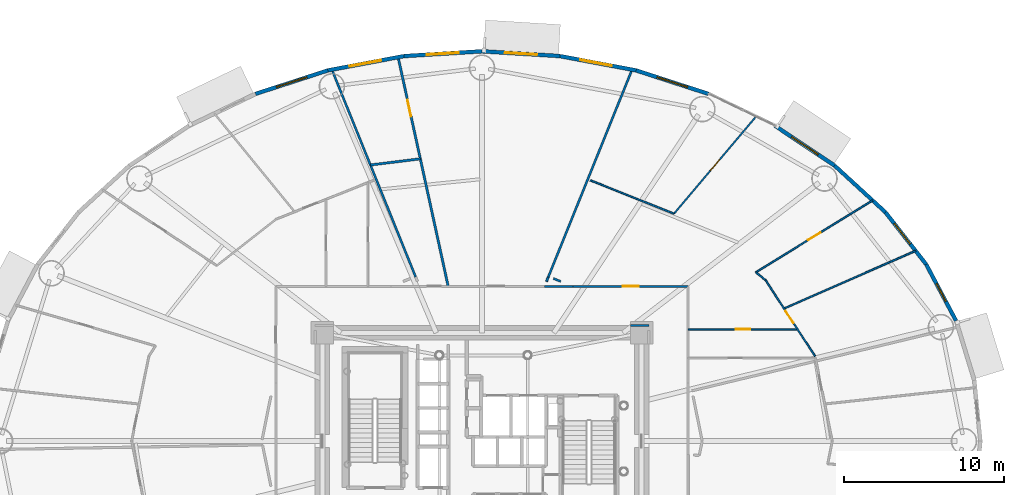
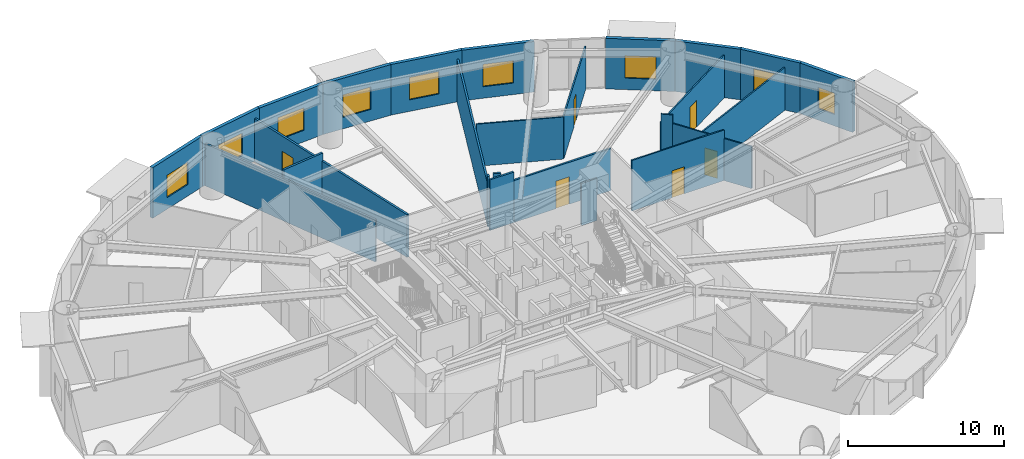
# One storey, part 13 of 21: 26 walls, 9 windows, 6 doors, 15 openings.
"""IFC4 building model written with IfcOpenShell, lengths in metres."""

import ifcopenshell
import ifcopenshell.guid

model = None  # the IFC model being written
_history = None  # IfcOwnerHistory: only IFC2X3 demands one
_inside = {}  # id of a spatial element -> (the spatial element, [elements in it])
_under = {}  # id of a project, library or spatial element -> (it, [spatial elements below it])
_declared = {}  # id of a project -> (the project, [libraries it declares])
_typed = {}  # id of a type object -> (the type object, [elements of that type])
_made_of = {}  # id of a material, layer set ... -> (it, [elements and type objects made of it])


def new_model(schema):
    """Start an empty IFC model of exactly this schema.

    Asked for "IFC4X3", IfcOpenShell would pick the latest addendum, in which some entities
    have other attributes; the version numbers below select the first issue.
    IFC2X3 requires an IfcOwnerHistory on every rooted entity: one is made here for all.
    """
    global model, _history
    if schema == "IFC4X3":
        model = ifcopenshell.file(schema_version=(4, 3, 0, 0))
    else:
        model = ifcopenshell.file(schema=schema)
    _inside.clear()
    _under.clear()
    _declared.clear()
    _typed.clear()
    _made_of.clear()
    _history = None
    if model.schema == "IFC2X3":
        org = make("IfcOrganization", Name="unknown")
        user = make(
            "IfcPersonAndOrganization",
            ThePerson=make("IfcPerson", FamilyName="unknown"),
            TheOrganization=org,
        )
        app = make(
            "IfcApplication",
            ApplicationDeveloper=org,
            Version="unknown",
            ApplicationFullName="unknown",
            ApplicationIdentifier="unknown",
        )
        _history = make(
            "IfcOwnerHistory",
            OwningUser=user,
            OwningApplication=app,
            ChangeAction="ADDED",
            CreationDate=0,
        )
    return model


def make(cls, **values):
    """One entity of the class cls with the attributes given. An attribute that is None is left unset."""
    return model.create_entity(
        cls, **{name: value for name, value in values.items() if value is not None}
    )


def rooted(cls, **values):
    """An entity with a GlobalId (a new one), such as an element, a storey or a relation."""
    return make(cls, GlobalId=ifcopenshell.guid.new(), OwnerHistory=_history, **values)


def si_unit(unit_type, name, prefix=None):
    """IfcSIUnit, for example si_unit("LENGTHUNIT", "METRE", prefix="MILLI")."""
    return make("IfcSIUnit", UnitType=unit_type, Prefix=prefix, Name=name)


def assignment(units):
    """IfcUnitAssignment: the units of a project."""
    return None if units is None else make("IfcUnitAssignment", Units=units)


def point(xyz):
    """IfcCartesianPoint."""
    return None if xyz is None else make("IfcCartesianPoint", Coordinates=xyz)


def direction(xyz):
    """IfcDirection."""
    return None if xyz is None else make("IfcDirection", DirectionRatios=xyz)


def frame(location, z_axis=None, x_axis=None):
    """IfcAxis2Placement3D, a coordinate frame: its origin and axes. An axis left out is left unset."""
    return make(
        "IfcAxis2Placement3D",
        Location=point(location),
        Axis=direction(z_axis),
        RefDirection=direction(x_axis),
    )


def frame_2d(location, x_axis=None):
    """IfcAxis2Placement2D, a coordinate frame in the plane: its origin and x axis."""
    return make(
        "IfcAxis2Placement2D", Location=point(location), RefDirection=direction(x_axis)
    )


def origin():
    """The frame at (0, 0, 0) with its axes left unset."""
    return frame((0.0, 0.0, 0.0))


def origin_2d():
    """The frame at (0, 0) in the plane with its x axis left unset."""
    return frame_2d((0.0, 0.0))


def place(relative_to, where):
    """IfcLocalPlacement: puts the frame where relative to a parent placement (None: the world)."""
    return make(
        "IfcLocalPlacement", PlacementRelTo=relative_to, RelativePlacement=where
    )


def context(
    kind, dimensions, precision=None, world=None, true_north=None, identifier=None
):
    """IfcGeometricRepresentationContext, for example the 3D "Model" context."""
    return make(
        "IfcGeometricRepresentationContext",
        ContextIdentifier=identifier,
        ContextType=kind,
        CoordinateSpaceDimension=dimensions,
        Precision=precision,
        WorldCoordinateSystem=world,
        TrueNorth=true_north,
    )


def subcontext(parent, identifier, kind, view, scale=None):
    """IfcGeometricRepresentationSubContext, for example "Body" below "Model"."""
    return make(
        "IfcGeometricRepresentationSubContext",
        ContextIdentifier=identifier,
        ContextType=kind,
        ParentContext=parent,
        TargetScale=scale,
        TargetView=view,
    )


def project(units=None, contexts=None):
    """IfcProject with its units and contexts."""
    return rooted(
        "IfcProject",
        Name="project",
        RepresentationContexts=contexts,
        UnitsInContext=assignment(units),
    )


def spatial(cls, under=None, at=None, **own):
    """A site, building, storey or space (cls), placed at a placement, below another one or the project."""
    s = rooted(cls, ObjectPlacement=at, **own)
    if under is not None:
        _under.setdefault(under.id(), (under, []))[1].append(s)
    return s


def profile(cls, at=None, kind="AREA", **sizes):
    """A parametric profile (cls). Its sizes go by their IFC names, for example OverallWidth=200.0."""
    return make(cls, ProfileType=kind, Position=at, **sizes)


def rectangle(**sizes):
    """IfcRectangleProfileDef."""
    return profile("IfcRectangleProfileDef", **sizes)


def extrude(swept, where, along, depth):
    """IfcExtrudedAreaSolid: the profile swept, set in the frame where, extruded along a direction by depth."""
    return make(
        "IfcExtrudedAreaSolid",
        SweptArea=swept,
        Position=where,
        ExtrudedDirection=direction(along),
        Depth=depth,
    )


def shape(context_of_items, identifier, shape_type, items):
    """IfcShapeRepresentation: the items that make up one representation, for example the "Body"."""
    return make(
        "IfcShapeRepresentation",
        ContextOfItems=context_of_items,
        RepresentationIdentifier=identifier,
        RepresentationType=shape_type,
        Items=items,
    )


def source(mapping_origin, context_of_items, identifier, shape_type, items):
    """IfcRepresentationMap: a shape defined once, which mapped items show again and again."""
    return make(
        "IfcRepresentationMap",
        MappingOrigin=mapping_origin,
        MappedRepresentation=shape(context_of_items, identifier, shape_type, items),
    )


def transform(
    local_origin,
    x_axis=None,
    y_axis=None,
    z_axis=None,
    scale=None,
    scale2=None,
    scale3=None,
    uniform=True,
):
    """IfcCartesianTransformationOperator3D, or its non-uniform kind. x_axis, y_axis, z_axis: its Axis1, 2, 3."""
    if uniform:
        return make(
            "IfcCartesianTransformationOperator3D",
            Axis1=direction(x_axis),
            Axis2=direction(y_axis),
            LocalOrigin=point(local_origin),
            Scale=scale,
            Axis3=direction(z_axis),
        )
    return make(
        "IfcCartesianTransformationOperator3DnonUniform",
        Axis1=direction(x_axis),
        Axis2=direction(y_axis),
        LocalOrigin=point(local_origin),
        Scale=scale,
        Axis3=direction(z_axis),
        Scale2=scale2,
        Scale3=scale3,
    )


def mapped(mapping_source, mapping_target):
    """IfcMappedItem: shows the shape of a source again, moved by a transform."""
    return make(
        "IfcMappedItem", MappingSource=mapping_source, MappingTarget=mapping_target
    )


def material(Name=None, Category=None):
    """IfcMaterial."""
    return make("IfcMaterial", Name=Name, Category=Category)


def layer(
    of_material, thickness, ventilated=None, Name=None, Category=None, Priority=None
):
    """IfcMaterialLayer: one layer of a wall or slab, of a material (None: an air gap)."""
    return make(
        "IfcMaterialLayer",
        Material=of_material,
        LayerThickness=thickness,
        IsVentilated=ventilated,
        Name=Name,
        Category=Category,
        Priority=Priority,
    )


def layer_set(layers, Name=None):
    """IfcMaterialLayerSet."""
    return make("IfcMaterialLayerSet", MaterialLayers=layers, LayerSetName=Name)


def made_of(thing, what):
    """Note that an element or type object is made of a material, layer set ...; save() writes the relation."""
    if what is not None:
        _made_of.setdefault(what.id(), (what, []))[1].append(thing)
    return thing


def type_object(cls, material=None, **own):
    """A type object (cls), such as IfcWallType, which elements share."""
    return made_of(rooted(cls, **own), material)


def element(
    cls,
    number,
    at=None,
    inside=None,
    cuts=None,
    type_object=None,
    material=None,
    context=None,
    identifier="Body",
    shape_type=None,
    held_by="IfcProductDefinitionShape",
    body=None,
    shapes=None,
    **own,
):
    """One element of the class cls, such as IfcWall. Its Tag is "e" and its number.

    at: its placement. inside: the storey or other place that contains it. cuts: it is an
    opening in that element (IfcRelVoidsElement). A single representation is given by context,
    identifier, shape_type and body (its items); several are given by shapes. held_by: the class
    of the entity that holds the representations. save() writes the other relations.
    """
    e = rooted(cls, Tag="e%d" % number, ObjectPlacement=at, **own)
    if body is not None:
        shapes = [shape(context, identifier, shape_type, body)]
    if shapes is not None:
        e.Representation = make(held_by, Representations=shapes)
    if inside is not None:
        _inside.setdefault(inside.id(), (inside, []))[1].append(e)
    if cuts is not None:
        rooted(
            "IfcRelVoidsElement", RelatingBuildingElement=cuts, RelatedOpeningElement=e
        )
    if type_object is not None:
        _typed.setdefault(type_object.id(), (type_object, []))[1].append(e)
    return made_of(e, material)


def fill(opening, filler):
    """IfcRelFillsElement: the door or window that sits in an opening."""
    return rooted(
        "IfcRelFillsElement",
        RelatingOpeningElement=opening,
        RelatedBuildingElement=filler,
    )


def aggregate(whole, parts):
    """IfcRelAggregates: a whole, such as a stair, and the parts it consists of."""
    return rooted("IfcRelAggregates", RelatingObject=whole, RelatedObjects=parts)


def save(model, path):
    """Write the relations noted so far, then the file.

    IfcRelAggregates (storeys below a building ...), IfcRelContainedInSpatialStructure (elements
    in a storey), IfcRelDefinesByType, IfcRelAssociatesMaterial and IfcRelDeclares: one each for
    every whole, place, type object, material and project.
    """
    for whole, parts in _under.values():
        aggregate(whole, parts)
    for where, things in _inside.values():
        rooted(
            "IfcRelContainedInSpatialStructure",
            RelatedElements=things,
            RelatingStructure=where,
        )
    for kind, things in _typed.values():
        rooted("IfcRelDefinesByType", RelatedObjects=things, RelatingType=kind)
    for what, things in _made_of.values():
        rooted("IfcRelAssociatesMaterial", RelatedObjects=things, RelatingMaterial=what)
    for by, libraries in _declared.values():
        rooted("IfcRelDeclares", RelatingContext=by, RelatedDefinitions=libraries)
    model.write(path)


model = new_model("IFC4")

# Units and contexts
model_context = context("Model", 3, precision=1e-05, world=origin(), true_north=direction((0.0, 1.0)))
body_context = subcontext(model_context, "Body", "Model", "MODEL_VIEW")
ifc_project = project(units=[si_unit("LENGTHUNIT", "METRE"), si_unit("AREAUNIT", "SQUARE_METRE"), si_unit("VOLUMEUNIT", "CUBIC_METRE"), si_unit("PLANEANGLEUNIT", "RADIAN"), si_unit("MASSUNIT", "GRAM", prefix="KILO")], contexts=[model_context])

# Site, building, storey
site_placement = place(None, origin())
site = spatial("IfcSite", under=ifc_project, at=site_placement, CompositionType="ELEMENT")
building_placement = place(site_placement, origin())
building = spatial("IfcBuilding", under=site, at=building_placement, Name="Linh Dai School and Residence Tower", CompositionType="ELEMENT")
storey_placement = place(building_placement, frame((0.0, 0.0, 78.60009765625)))
storey = spatial("IfcBuildingStorey", under=building, at=storey_placement, Name="L18", CompositionType="ELEMENT", Elevation=78.60009765625)

# Wall, opening, window
ifc_material_1 = material(Name="Precast Concrete B45 (C35/45)", Category="concrete")
ifc_layer_1 = layer(ifc_material_1, 0.239990234375)
ifc_layer_set_1 = layer_set([ifc_layer_1], Name="Precast Concrete B45 (C35/45)")
wall_type_1 = type_object("IfcWallType", Name="EW-TC-240", PredefinedType="SOLIDWALL", material=ifc_layer_set_1)
wall_1_placement = place(storey_placement, frame((63.694580078125, 38.022705078125, 0.0), z_axis=(0.0, 0.0, 1.0), x_axis=(0.467662443071, -0.883907144072, 0.0)))
wall_1 = element("IfcWall", 1, at=wall_1_placement, inside=storey, type_object=wall_type_1, Name="L18 Terracotta Exterior Wall 03", PredefinedType="SOLIDWALL", context=body_context, shape_type="SweptSolid", body=[
    extrude(rectangle(XDim=3.983642578125, YDim=0.239990234375, at=frame_2d((1.99169921875, 0.0))), origin(), (0.0, 0.0, 1.0), 3.949951171875),
])
opening_1_placement = place(wall_1_placement, frame((1.366943359375, 0.0, 0.89990234375)))
opening_1 = element("IfcOpeningElement", 2, at=opening_1_placement, cuts=wall_1, Name="Opening W3", PredefinedType="OPENING", context=body_context, shape_type="SweptSolid", body=[
    extrude(rectangle(XDim=1.25, YDim=1.64990234375, at=origin_2d()), frame((0.625, 0.1298828125, 0.824951171875), z_axis=(0.0, -1.0, 0.0), x_axis=(1.0, 0.0, 0.0)), (0.0, 0.0, 1.0), 0.260009765625),
])
ifc_material_2 = material(Name="Double Low-E Insulated Glazing", Category="glass")
window_type_1 = type_object("IfcWindowType", Name="WN-RES-1250x1650", PartitioningType="SINGLE_PANEL", PredefinedType="WINDOW", material=ifc_material_2)
shared_shape_1 = source(origin(), body_context, "Body", "SweptSolid", [
    extrude(rectangle(XDim=1.25, YDim=1.64990234375, at=origin_2d()), frame((0.625, 0.030029296875, 0.824951171875), z_axis=(0.0, -1.0, 0.0), x_axis=(1.0, 0.0, 0.0)), (0.0, 0.0, 1.0), 0.06005859375),
])
window_1_placement = place(opening_1_placement, origin())
window_1 = element("IfcWindow", 3, at=window_1_placement, inside=storey, type_object=window_type_1, Name="L18 Dwelling Window U1805-BD1", OverallHeight=1.64990234375, OverallWidth=1.25, PartitioningType="SINGLE_PANEL", PredefinedType="WINDOW", context=body_context, shape_type="MappedRepresentation", body=[
    mapped(shared_shape_1, transform((0.0, 0.0, 0.0), x_axis=(1.0, 0.0, 0.0), y_axis=(0.0, 1.0, 0.0), z_axis=(0.0, 0.0, 1.0), scale=1.0)),
])
fill(opening_1, window_1)

wall_2_placement = place(storey_placement, frame((61.149658203125, 41.274658203125, 0.0), z_axis=(0.0, 0.0, 1.0), x_axis=(0.616295508253, -0.787514981767, 0.0)))
wall_2 = element("IfcWall", 4, at=wall_2_placement, inside=storey, type_object=wall_type_1, Name="L18 Terracotta Exterior Wall 04", PredefinedType="SOLIDWALL", context=body_context, shape_type="SweptSolid", body=[
    extrude(rectangle(XDim=4.12939453125, YDim=0.239990234375, at=frame_2d((2.064697265625, 0.0))), origin(), (0.0, 0.0, 1.0), 3.949951171875),
])
opening_2_placement = place(wall_2_placement, frame((0.908203125, 0.0, 0.89990234375)))
opening_2 = element("IfcOpeningElement", 5, at=opening_2_placement, cuts=wall_2, Name="Opening W2", PredefinedType="OPENING", context=body_context, shape_type="SweptSolid", body=[
    extrude(rectangle(XDim=1.60009765625, YDim=1.75, at=origin_2d()), frame((0.800048828125, 0.1298828125, 0.875), z_axis=(0.0, -1.0, 0.0), x_axis=(1.0, 0.0, 0.0)), (0.0, 0.0, 1.0), 0.260009765625),
])
window_type_2 = type_object("IfcWindowType", Name="WN-RES-1600x1750", PartitioningType="DOUBLE_PANEL_VERTICAL", PredefinedType="WINDOW", material=ifc_material_2)
shared_shape_2 = source(origin(), body_context, "Body", "SweptSolid", [
    extrude(rectangle(XDim=1.60009765625, YDim=1.75, at=origin_2d()), frame((0.800048828125, 0.030029296875, 0.875), z_axis=(0.0, -1.0, 0.0), x_axis=(1.0, 0.0, 0.0)), (0.0, 0.0, 1.0), 0.06005859375),
])
window_2_placement = place(opening_2_placement, origin())
window_2 = element("IfcWindow", 6, at=window_2_placement, inside=storey, type_object=window_type_2, Name="L18 Exterior Window 04.1", OverallHeight=1.75, OverallWidth=1.60009765625, PartitioningType="DOUBLE_PANEL_VERTICAL", PredefinedType="WINDOW", context=body_context, shape_type="MappedRepresentation", body=[
    mapped(shared_shape_2, transform((0.0, 0.0, 0.0), x_axis=(1.0, 0.0, 0.0), y_axis=(0.0, 1.0, 0.0), z_axis=(0.0, 0.0, 1.0), scale=1.0)),
])
fill(opening_2, window_2)

# Wall
wall_3_placement = place(storey_placement, frame((57.984619140625, 44.17626953125, 0.0), z_axis=(0.0, 0.0, 1.0), x_axis=(0.737116376281, -0.67576582321, 0.0)))
element("IfcWall", 7, at=wall_3_placement, inside=storey, type_object=wall_type_1, Name="L18 Terracotta Exterior Wall 05", PredefinedType="SOLIDWALL", context=body_context, shape_type="SweptSolid", body=[
    extrude(rectangle(XDim=4.293701171875, YDim=0.239990234375, at=frame_2d((2.14697265625, 0.0))), origin(), (0.0, 0.0, 1.0), 3.949951171875),
])

# Wall, opening, window
wall_4_placement = place(storey_placement, frame((54.277099609375, 46.65576171875, 0.0), z_axis=(0.0, 0.0, 1.0), x_axis=(0.831240982525, -0.555912249343, 0.0)))
wall_4 = element("IfcWall", 8, at=wall_4_placement, inside=storey, type_object=wall_type_1, Name="L18 Terracotta Exterior Wall 06", PredefinedType="SOLIDWALL", context=body_context, shape_type="SweptSolid", body=[
    extrude(rectangle(XDim=4.460205078125, YDim=0.239990234375, at=frame_2d((2.22998046875, 0.0))), origin(), (0.0, 0.0, 1.0), 3.949951171875),
])
opening_3_placement = place(wall_4_placement, frame((1.22998046875, 0.0, 0.89990234375)))
opening_3 = element("IfcOpeningElement", 9, at=opening_3_placement, cuts=wall_4, Name="Opening W1", PredefinedType="OPENING", context=body_context, shape_type="SweptSolid", body=[
    extrude(rectangle(XDim=2.0, YDim=1.75, at=origin_2d()), frame((1.0, 0.1298828125, 0.875), z_axis=(0.0, -1.0, 0.0), x_axis=(1.0, 0.0, 0.0)), (0.0, 0.0, 1.0), 0.260009765625),
])
window_type_3 = type_object("IfcWindowType", Name="WN-RES-2000x1750", PartitioningType="DOUBLE_PANEL_VERTICAL", PredefinedType="WINDOW", material=ifc_material_2)
shared_shape_3 = source(origin(), body_context, "Body", "SweptSolid", [
    extrude(rectangle(XDim=2.0, YDim=1.75, at=origin_2d()), frame((1.0, 0.030029296875, 0.875), z_axis=(0.0, -1.0, 0.0), x_axis=(1.0, 0.0, 0.0)), (0.0, 0.0, 1.0), 0.06005859375),
])
window_3_placement = place(opening_3_placement, origin())
window_3 = element("IfcWindow", 10, at=window_3_placement, inside=storey, type_object=window_type_3, Name="L18 Exterior Window 06.1", OverallHeight=1.75, OverallWidth=2.0, PartitioningType="DOUBLE_PANEL_VERTICAL", PredefinedType="WINDOW", context=body_context, shape_type="MappedRepresentation", body=[
    mapped(shared_shape_3, transform((0.0, 0.0, 0.0), x_axis=(1.0, 0.0, 0.0), y_axis=(0.0, 1.0, 0.0), z_axis=(0.0, 0.0, 1.0), scale=1.0)),
])
fill(opening_3, window_3)

wall_5_placement = place(storey_placement, frame((45.610595703125, 50.11328125, 0.0), z_axis=(0.0, 0.0, 1.0), x_axis=(0.951207699013, -0.308551313946, 0.0)))
wall_5 = element("IfcWall", 11, at=wall_5_placement, inside=storey, type_object=wall_type_1, Name="L18 Terracotta Exterior Wall 08", PredefinedType="SOLIDWALL", context=body_context, shape_type="SweptSolid", body=[
    extrude(rectangle(XDim=4.73876953125, YDim=0.239990234375, at=frame_2d((2.369384765625, 0.0))), origin(), (0.0, 0.0, 1.0), 3.949951171875),
])
opening_4_placement = place(wall_5_placement, frame((1.369384765625, 0.0, 0.89990234375)))
opening_4 = element("IfcOpeningElement", 12, at=opening_4_placement, cuts=wall_5, Name="Opening W1", PredefinedType="OPENING", context=body_context, shape_type="SweptSolid", body=[
    extrude(rectangle(XDim=2.0, YDim=1.75, at=origin_2d()), frame((1.0, 0.1298828125, 0.875), z_axis=(0.0, -1.0, 0.0), x_axis=(1.0, 0.0, 0.0)), (0.0, 0.0, 1.0), 0.260009765625),
])
window_4_placement = place(opening_4_placement, origin())
window_4 = element("IfcWindow", 13, at=window_4_placement, inside=storey, type_object=window_type_3, Name="L18 Exterior Window 08.1", OverallHeight=1.75, OverallWidth=2.0, PartitioningType="DOUBLE_PANEL_VERTICAL", PredefinedType="WINDOW", context=body_context, shape_type="MappedRepresentation", body=[
    mapped(shared_shape_3, transform((0.0, 0.0, 0.0), x_axis=(1.0, 0.0, 0.0), y_axis=(0.0, 1.0, 0.0), z_axis=(0.0, 0.0, 1.0), scale=1.0)),
])
fill(opening_4, window_4)

wall_6_placement = place(storey_placement, frame((40.865478515625, 51.005126953125, 0.0), z_axis=(0.0, 0.0, 1.0), x_axis=(0.982791952378, -0.184715939598, 0.0)))
wall_6 = element("IfcWall", 14, at=wall_6_placement, inside=storey, type_object=wall_type_1, Name="L18 Terracotta Exterior Wall 09", PredefinedType="SOLIDWALL", context=body_context, shape_type="SweptSolid", body=[
    extrude(rectangle(XDim=4.828125, YDim=0.239990234375, at=frame_2d((2.4140625, 0.0))), origin(), (0.0, 0.0, 1.0), 3.949951171875),
])
opening_5_placement = place(wall_6_placement, frame((1.27685546875, 0.0, 0.89990234375)))
opening_5 = element("IfcOpeningElement", 15, at=opening_5_placement, cuts=wall_6, Name="Opening W1", PredefinedType="OPENING", context=body_context, shape_type="SweptSolid", body=[
    extrude(rectangle(XDim=2.0, YDim=1.75, at=origin_2d()), frame((1.0, 0.1298828125, 0.875), z_axis=(0.0, -1.0, 0.0), x_axis=(1.0, 0.0, 0.0)), (0.0, 0.0, 1.0), 0.260009765625),
])
window_5_placement = place(opening_5_placement, origin())
window_5 = element("IfcWindow", 16, at=window_5_placement, inside=storey, type_object=window_type_3, Name="L18 Exterior Window 09.1", OverallHeight=1.75, OverallWidth=2.0, PartitioningType="DOUBLE_PANEL_VERTICAL", PredefinedType="WINDOW", context=body_context, shape_type="MappedRepresentation", body=[
    mapped(shared_shape_3, transform((0.0, 0.0, 0.0), x_axis=(1.0, 0.0, 0.0), y_axis=(0.0, 1.0, 0.0), z_axis=(0.0, 0.0, 1.0), scale=1.0)),
])
fill(opening_5, window_5)

wall_7_placement = place(storey_placement, frame((36.0, 51.304931640625, 0.0), z_axis=(0.0, 0.0, 1.0), x_axis=(0.998106954071, -0.061502099433, 0.0)))
wall_7 = element("IfcWall", 17, at=wall_7_placement, inside=storey, type_object=wall_type_1, Name="L18 Terracotta Exterior Wall 10", PredefinedType="SOLIDWALL", context=body_context, shape_type="SweptSolid", body=[
    extrude(rectangle(XDim=4.874755859375, YDim=0.239990234375, at=frame_2d((2.4375, 0.0))), origin(), (0.0, 0.0, 1.0), 3.949951171875),
])
opening_6_placement = place(wall_7_placement, frame((1.437255859375, 0.0, 0.89990234375)))
opening_6 = element("IfcOpeningElement", 18, at=opening_6_placement, cuts=wall_7, Name="Opening W1", PredefinedType="OPENING", context=body_context, shape_type="SweptSolid", body=[
    extrude(rectangle(XDim=2.0, YDim=1.75, at=origin_2d()), frame((1.0, 0.1298828125, 0.875), z_axis=(0.0, -1.0, 0.0), x_axis=(1.0, 0.0, 0.0)), (0.0, 0.0, 1.0), 0.260009765625),
])
window_6_placement = place(opening_6_placement, origin())
window_6 = element("IfcWindow", 19, at=window_6_placement, inside=storey, type_object=window_type_3, Name="L18 Exterior Window 10.1", OverallHeight=1.75, OverallWidth=2.0, PartitioningType="DOUBLE_PANEL_VERTICAL", PredefinedType="WINDOW", context=body_context, shape_type="MappedRepresentation", body=[
    mapped(shared_shape_3, transform((0.0, 0.0, 0.0), x_axis=(1.0, 0.0, 0.0), y_axis=(0.0, 1.0, 0.0), z_axis=(0.0, 0.0, 1.0), scale=1.0)),
])
fill(opening_6, window_6)

wall_8_placement = place(storey_placement, frame((31.134521484375, 51.005126953125, 0.0), z_axis=(0.0, 0.0, 1.0), x_axis=(0.998106954071, 0.061502099433, 0.0)))
wall_8 = element("IfcWall", 20, at=wall_8_placement, inside=storey, type_object=wall_type_1, Name="L18 Terracotta Exterior Wall 11", PredefinedType="SOLIDWALL", context=body_context, shape_type="SweptSolid", body=[
    extrude(rectangle(XDim=4.874755859375, YDim=0.239990234375, at=frame_2d((2.4375, 0.0))), origin(), (0.0, 0.0, 1.0), 3.949951171875),
])
opening_7_placement = place(wall_8_placement, frame((1.437255859375, 0.0, 0.89990234375)))
opening_7 = element("IfcOpeningElement", 21, at=opening_7_placement, cuts=wall_8, Name="Opening W1", PredefinedType="OPENING", context=body_context, shape_type="SweptSolid", body=[
    extrude(rectangle(XDim=2.0, YDim=1.75, at=origin_2d()), frame((1.0, 0.1298828125, 0.875), z_axis=(0.0, -1.0, 0.0), x_axis=(1.0, 0.0, 0.0)), (0.0, 0.0, 1.0), 0.260009765625),
])
window_7_placement = place(opening_7_placement, origin())
window_7 = element("IfcWindow", 22, at=window_7_placement, inside=storey, type_object=window_type_3, Name="L18 Exterior Window 11.1", OverallHeight=1.75, OverallWidth=2.0, PartitioningType="DOUBLE_PANEL_VERTICAL", PredefinedType="WINDOW", context=body_context, shape_type="MappedRepresentation", body=[
    mapped(shared_shape_3, transform((0.0, 0.0, 0.0), x_axis=(1.0, 0.0, 0.0), y_axis=(0.0, 1.0, 0.0), z_axis=(0.0, 0.0, 1.0), scale=1.0)),
])
fill(opening_7, window_7)

wall_9_placement = place(storey_placement, frame((26.389404296875, 50.11328125, 0.0), z_axis=(0.0, 0.0, 1.0), x_axis=(0.982791952378, 0.184715939598, 0.0)))
wall_9 = element("IfcWall", 23, at=wall_9_placement, inside=storey, type_object=wall_type_1, Name="L18 Terracotta Exterior Wall 12", PredefinedType="SOLIDWALL", context=body_context, shape_type="SweptSolid", body=[
    extrude(rectangle(XDim=4.828125, YDim=0.239990234375, at=frame_2d((2.4140625, 0.0))), origin(), (0.0, 0.0, 1.0), 3.949951171875),
])
opening_8_placement = place(wall_9_placement, frame((1.372802734375, 0.0, 0.89990234375)))
opening_8 = element("IfcOpeningElement", 24, at=opening_8_placement, cuts=wall_9, Name="Opening W1", PredefinedType="OPENING", context=body_context, shape_type="SweptSolid", body=[
    extrude(rectangle(XDim=2.0, YDim=1.75, at=origin_2d()), frame((1.0, 0.1298828125, 0.875), z_axis=(0.0, -1.0, 0.0), x_axis=(1.0, 0.0, 0.0)), (0.0, 0.0, 1.0), 0.260009765625),
])
window_8_placement = place(opening_8_placement, origin())
window_8 = element("IfcWindow", 25, at=window_8_placement, inside=storey, type_object=window_type_3, Name="L18 Exterior Window 12.1", OverallHeight=1.75, OverallWidth=2.0, PartitioningType="DOUBLE_PANEL_VERTICAL", PredefinedType="WINDOW", context=body_context, shape_type="MappedRepresentation", body=[
    mapped(shared_shape_3, transform((0.0, 0.0, 0.0), x_axis=(1.0, 0.0, 0.0), y_axis=(0.0, 1.0, 0.0), z_axis=(0.0, 0.0, 1.0), scale=1.0)),
])
fill(opening_8, window_8)

wall_10_placement = place(storey_placement, frame((21.8818359375, 48.651123046875, 0.0), z_axis=(0.0, 0.0, 1.0), x_axis=(0.951207699013, 0.308551313946, 0.0)))
wall_10 = element("IfcWall", 26, at=wall_10_placement, inside=storey, type_object=wall_type_1, Name="L18 Terracotta Exterior Wall 13", PredefinedType="SOLIDWALL", context=body_context, shape_type="SweptSolid", body=[
    extrude(rectangle(XDim=4.73876953125, YDim=0.239990234375, at=frame_2d((2.369384765625, 0.0))), origin(), (0.0, 0.0, 1.0), 3.949951171875),
])
opening_9_placement = place(wall_10_placement, frame((1.369384765625, 0.0, 0.89990234375)))
opening_9 = element("IfcOpeningElement", 27, at=opening_9_placement, cuts=wall_10, Name="Opening W1", PredefinedType="OPENING", context=body_context, shape_type="SweptSolid", body=[
    extrude(rectangle(XDim=2.0, YDim=1.75, at=origin_2d()), frame((1.0, 0.1298828125, 0.875), z_axis=(0.0, -1.0, 0.0), x_axis=(1.0, 0.0, 0.0)), (0.0, 0.0, 1.0), 0.260009765625),
])
window_9_placement = place(opening_9_placement, origin())
window_9 = element("IfcWindow", 28, at=window_9_placement, inside=storey, type_object=window_type_3, Name="L18 Exterior Window 13.1", OverallHeight=1.75, OverallWidth=2.0, PartitioningType="DOUBLE_PANEL_VERTICAL", PredefinedType="WINDOW", context=body_context, shape_type="MappedRepresentation", body=[
    mapped(shared_shape_3, transform((0.0, 0.0, 0.0), x_axis=(1.0, 0.0, 0.0), y_axis=(0.0, 1.0, 0.0), z_axis=(0.0, 0.0, 1.0), scale=1.0)),
])
fill(opening_9, window_9)

# Walls
ifc_material_3 = material(Name="Autoclaved Aerated Concrete Blockwork", Category="masonry")
ifc_layer_2 = layer(ifc_material_3, 0.135009765625)
ifc_layer_set_2 = layer_set([ifc_layer_2], Name="Autoclaved Aerated Concrete Blockwork")
wall_type_2 = type_object("IfcWallType", Name="IW-CORR-135-EI90", PredefinedType="PARTITIONING", material=ifc_layer_set_2)
wall_11_placement = place(storey_placement, frame((26.640625, 50.16552734375, 0.0), z_axis=(0.0, 0.0, 1.0), x_axis=(0.374600258899, -0.927186413852, 0.0)))
element("IfcWall", 29, at=wall_11_placement, inside=storey, type_object=wall_type_2, Name="L18 Interior Partition Wall 025", PredefinedType="PARTITIONING", context=body_context, shape_type="SweptSolid", body=[
    extrude(rectangle(XDim=13.944580078125, YDim=0.135009765625, at=frame_2d((6.97216796875, 0.0))), origin(), (0.0, 0.0, 1.0), 3.284912109375),
])
wall_12_placement = place(storey_placement, frame((40.1357421875, 37.236328125, 0.0), z_axis=(0.0, 0.0, 1.0), x_axis=(0.374600258899, 0.927186413852, 0.0)))
element("IfcWall", 30, at=wall_12_placement, inside=storey, type_object=wall_type_2, Name="L18 Interior Partition Wall 067", PredefinedType="PARTITIONING", context=body_context, shape_type="SweptSolid", body=[
    extrude(rectangle(XDim=13.944580078125, YDim=0.135009765625, at=frame_2d((6.97216796875, 0.0))), origin(), (0.0, 0.0, 1.0), 3.3349609375),
])

# Wall, opening, door
wall_13_placement = place(storey_placement, frame((41.6787109375, 36.64990234375, 0.0), z_axis=(0.0, 0.0, 1.0), x_axis=(1.0, 0.0, 0.0)))
wall_13 = element("IfcWall", 31, at=wall_13_placement, inside=storey, type_object=wall_type_2, Name="L18 Interior Partition Wall 073", PredefinedType="PARTITIONING", context=body_context, shape_type="SweptSolid", body=[
    extrude(rectangle(XDim=7.17138671875, YDim=0.135009765625, at=frame_2d((3.585693359375, 0.0))), origin(), (0.0, 0.0, 1.0), 3.284912109375),
])
opening_10_placement = place(wall_13_placement, frame((3.085693359375, 0.0, 0.0)))
opening_10 = element("IfcOpeningElement", 32, at=opening_10_placement, cuts=wall_13, Name="Opening D03", PredefinedType="OPENING", context=body_context, shape_type="SweptSolid", body=[
    extrude(rectangle(XDim=1.0, YDim=2.14990234375, at=origin_2d()), frame((0.5, 0.07763671875, 1.074951171875), z_axis=(0.0, -1.0, 0.0), x_axis=(1.0, 0.0, 0.0)), (0.0, 0.0, 1.0), 0.155029296875),
])
ifc_material_4 = material(Name="Fire-Rated Solid Timber Entrance Door", Category="wood")
door_type_1 = type_object("IfcDoorType", Name="DR-FLAT-1000x2150-FD60S", OperationType="NOTDEFINED", PredefinedType="DOOR", material=ifc_material_4)
shared_shape_4 = source(origin(), body_context, "Body", "SweptSolid", [
    extrude(rectangle(XDim=1.0, YDim=2.14990234375, at=origin_2d()), frame((0.5, 0.02490234375, 1.074951171875), z_axis=(0.0, -1.0, 0.0), x_axis=(1.0, 0.0, 0.0)), (0.0, 0.0, 1.0), 0.050048828125),
])
door_1_placement = place(opening_10_placement, origin())
door_1 = element("IfcDoor", 33, at=door_1_placement, inside=storey, type_object=door_type_1, Name="L18 U1805 Apartment Entrance Door", OperationType="SINGLE_SWING_RIGHT", OverallHeight=2.14990234375, OverallWidth=1.0, PredefinedType="DOOR", context=body_context, shape_type="MappedRepresentation", body=[
    mapped(shared_shape_4, transform((0.0, 0.0, 0.0), x_axis=(1.0, 0.0, 0.0), y_axis=(0.0, 1.0, 0.0), z_axis=(0.0, 0.0, 1.0), scale=1.0)),
])
fill(opening_10, door_1)

# Walls
wall_14_placement = place(storey_placement, frame((39.908935546875, 36.64990234375, 0.0), z_axis=(0.0, 0.0, 1.0), x_axis=(1.0, 0.0, 0.0)))
element("IfcWall", 34, at=wall_14_placement, inside=storey, type_object=wall_type_2, Name="L18 Interior Partition Wall 111", PredefinedType="PARTITIONING", context=body_context, shape_type="SweptSolid", body=[
    extrude(rectangle(XDim=1.759765625, YDim=0.135009765625, at=frame_2d((0.8798828125, 0.0))), origin(), (0.0, 0.0, 1.0), 3.949951171875),
])
wall_15_placement = place(storey_placement, frame((46.39990234375, 34.199951171875, 0.0), z_axis=(0.0, 0.0, 1.0), x_axis=(-1.0, 0.0, 0.0)))
element("IfcWall", 35, at=wall_15_placement, inside=storey, type_object=wall_type_2, Name="L18 Interior Partition Wall 116", PredefinedType="PARTITIONING", context=body_context, shape_type="SweptSolid", body=[
    extrude(rectangle(XDim=1.139892578125, YDim=0.135009765625, at=frame_2d((0.56982421875, 0.0))), origin(), (0.0, 0.0, 1.0), 3.284912109375),
])
wall_16_placement = place(storey_placement, frame((40.132080078125, 37.22705078125, 0.0), z_axis=(0.0, 0.0, 1.0), x_axis=(-0.374574137078, -0.927196967118, 0.0)))
element("IfcWall", 36, at=wall_16_placement, inside=storey, type_object=wall_type_2, Name="L18 Interior Partition Wall 124", PredefinedType="PARTITIONING", context=body_context, shape_type="SweptSolid", body=[
    extrude(rectangle(XDim=0.290771484375, YDim=0.135009765625, at=frame_2d((0.1455078125, 0.0))), origin(), (0.0, 0.0, 1.0), 3.949951171875),
])
wall_17_placement = place(storey_placement, frame((40.907958984375, 36.95751953125, 0.0), z_axis=(0.0, 0.0, 1.0), x_axis=(-0.92881793224, 0.370536433768, 0.0)))
element("IfcWall", 37, at=wall_17_placement, inside=storey, type_object=wall_type_2, Name="L18 Interior Partition Wall 138", PredefinedType="PARTITIONING", context=body_context, shape_type="SweptSolid", body=[
    extrude(rectangle(XDim=0.492919921875, YDim=0.135009765625, at=frame_2d((0.24658203125, 0.0))), origin(), (0.0, 0.0, 1.0), 3.949951171875),
])
ifc_layer_3 = layer(ifc_material_3, 0.14990234375)
ifc_layer_set_3 = layer_set([ifc_layer_3], Name="Autoclaved Aerated Concrete Blockwork")
wall_type_3 = type_object("IfcWallType", Name="IW-SCH-150-EI60", PredefinedType="PARTITIONING", material=ifc_layer_set_3)
wall_18_placement = place(storey_placement, frame((29.04443359375, 44.215576171875, 0.0), z_axis=(0.0, 0.0, 1.0), x_axis=(0.992392460137, 0.12311460134, 0.0)))
element("IfcWall", 38, at=wall_18_placement, inside=storey, type_object=wall_type_3, Name="L18 Interior Partition Wall 030", PredefinedType="PARTITIONING", context=body_context, shape_type="SweptSolid", body=[
    extrude(rectangle(XDim=3.13525390625, YDim=0.14990234375, at=frame_2d((1.567626953125, 0.0))), origin(), (0.0, 0.0, 1.0), 3.949951171875),
])

# Wall, opening, door
wall_19_placement = place(storey_placement, frame((30.77099609375, 50.94189453125, 0.0), z_axis=(0.0, 0.0, 1.0), x_axis=(0.213371854648, -0.976971059778, 0.0)))
wall_19 = element("IfcWall", 39, at=wall_19_placement, inside=storey, type_object=wall_type_3, Name="L18 Interior Partition Wall 032", PredefinedType="PARTITIONING", context=body_context, shape_type="SweptSolid", body=[
    extrude(rectangle(XDim=14.628662109375, YDim=0.14990234375, at=frame_2d((7.314453125, 0.0))), origin(), (0.0, 0.0, 1.0), 3.3349609375),
])
opening_11_placement = place(wall_19_placement, frame((2.739990234375, 0.0, 0.0)))
opening_11 = element("IfcOpeningElement", 40, at=opening_11_placement, cuts=wall_19, Name="Opening D04", PredefinedType="OPENING", context=body_context, shape_type="SweptSolid", body=[
    extrude(rectangle(XDim=1.050048828125, YDim=2.14990234375, at=origin_2d()), frame((0.52490234375, 0.0849609375, 1.074951171875), z_axis=(0.0, -1.0, 0.0), x_axis=(1.0, 0.0, 0.0)), (0.0, 0.0, 1.0), 0.169921875),
])
ifc_material_5 = material(Name="Acoustic Vision-Panel Timber Classroom Door", Category="wood")
door_type_2 = type_object("IfcDoorType", Name="DR-SCH-1050x2150-FD60S", OperationType="NOTDEFINED", PredefinedType="DOOR", material=ifc_material_5)
shared_shape_5 = source(origin(), body_context, "Body", "SweptSolid", [
    extrude(rectangle(XDim=1.050048828125, YDim=2.14990234375, at=origin_2d()), frame((0.52490234375, 0.02490234375, 1.074951171875), z_axis=(0.0, -1.0, 0.0), x_axis=(1.0, 0.0, 0.0)), (0.0, 0.0, 1.0), 0.050048828125),
])
door_2_placement = place(opening_11_placement, origin())
door_2 = element("IfcDoor", 41, at=door_2_placement, inside=storey, type_object=door_type_2, Name="L18 Amenity Tea Salon Door", OperationType="SINGLE_SWING_RIGHT", OverallHeight=2.14990234375, OverallWidth=1.050048828125, PredefinedType="DOOR", context=body_context, shape_type="MappedRepresentation", body=[
    mapped(shared_shape_5, transform((0.0, 0.0, 0.0), x_axis=(1.0, 0.0, 0.0), y_axis=(0.0, 1.0, 0.0), z_axis=(0.0, 0.0, 1.0), scale=1.0)),
])
fill(opening_11, door_2)

# Wall
ifc_material_6 = material(Name="Gypsum Plasterboard Acoustic Stud Partition", Category="masonry")
ifc_layer_4 = layer(ifc_material_6, 0.10009765625)
ifc_layer_set_4 = layer_set([ifc_layer_4], Name="Gypsum Plasterboard Acoustic Stud Partition")
wall_type_4 = type_object("IfcWallType", Name="IW-UNIT-100", PredefinedType="PARTITIONING", material=ifc_layer_set_4)
wall_20_placement = place(storey_placement, frame((42.7490234375, 43.263916015625, 0.0), z_axis=(0.0, 0.0, 1.0), x_axis=(0.928808679707, -0.370559626107, 0.0)))
element("IfcWall", 42, at=wall_20_placement, inside=storey, type_object=wall_type_4, Name="L18 Interior Partition Wall 076", PredefinedType="PARTITIONING", context=body_context, shape_type="SweptSolid", body=[
    extrude(rectangle(XDim=5.623291015625, YDim=0.10009765625, at=frame_2d((2.8115234375, 0.0))), origin(), (0.0, 0.0, 1.0), 3.284912109375),
])

# Wall, opening, door
wall_21_placement = place(storey_placement, frame((47.971923828125, 41.18017578125, 0.0), z_axis=(0.0, 0.0, 1.0), x_axis=(0.645114462575, 0.764085944234, 0.0)))
wall_21 = element("IfcWall", 43, at=wall_21_placement, inside=storey, type_object=wall_type_4, Name="L18 Interior Partition Wall 080", PredefinedType="PARTITIONING", context=body_context, shape_type="SweptSolid", body=[
    extrude(rectangle(XDim=7.923095703125, YDim=0.10009765625, at=frame_2d((3.96142578125, 0.0))), origin(), (0.0, 0.0, 1.0), 3.3349609375),
])
opening_12_placement = place(wall_21_placement, frame((3.511474609375, 0.0, 0.0)))
opening_12 = element("IfcOpeningElement", 44, at=opening_12_placement, cuts=wall_21, Name="Opening D05", PredefinedType="OPENING", context=body_context, shape_type="SweptSolid", body=[
    extrude(rectangle(XDim=0.89990234375, YDim=2.10009765625, at=origin_2d()), frame((0.449951171875, 0.06005859375, 1.050048828125), z_axis=(0.0, -1.0, 0.0), x_axis=(1.0, 0.0, 0.0)), (0.0, 0.0, 1.0), 0.1201171875),
])
ifc_material_7 = material(Name="Engineered Timber Internal Door", Category="wood")
door_type_3 = type_object("IfcDoorType", Name="DR-INT-900x2100", OperationType="NOTDEFINED", PredefinedType="DOOR", material=ifc_material_7)
shared_shape_6 = source(origin(), body_context, "Body", "SweptSolid", [
    extrude(rectangle(XDim=0.89990234375, YDim=2.10009765625, at=origin_2d()), frame((0.449951171875, 0.02490234375, 1.050048828125), z_axis=(0.0, -1.0, 0.0), x_axis=(1.0, 0.0, 0.0)), (0.0, 0.0, 1.0), 0.050048828125),
])
door_3_placement = place(opening_12_placement, origin())
door_3 = element("IfcDoor", 45, at=door_3_placement, inside=storey, type_object=door_type_3, Name="L18 Apartment U1805 Principal Bedroom 2 Door", OperationType="SINGLE_SWING_LEFT", OverallHeight=2.10009765625, OverallWidth=0.89990234375, PredefinedType="DOOR", context=body_context, shape_type="MappedRepresentation", body=[
    mapped(shared_shape_6, transform((0.0, 0.0, 0.0), x_axis=(1.0, 0.0, 0.0), y_axis=(0.0, 1.0, 0.0), z_axis=(0.0, 0.0, 1.0), scale=1.0)),
])
fill(opening_12, door_3)

wall_22_placement = place(storey_placement, frame((48.85009765625, 33.971923828125, 0.0), z_axis=(0.0, 0.0, 1.0), x_axis=(1.0, 0.0, 0.0)))
wall_22 = element("IfcWall", 46, at=wall_22_placement, inside=storey, type_object=wall_type_4, Name="L18 Interior Partition Wall 086", PredefinedType="PARTITIONING", context=body_context, shape_type="SweptSolid", body=[
    extrude(rectangle(XDim=6.822998046875, YDim=0.10009765625, at=frame_2d((3.41162109375, 0.0))), origin(), (0.0, 0.0, 1.0), 3.949951171875),
])
opening_13_placement = place(wall_22_placement, frame((2.96142578125, 0.0, 0.0)))
opening_13 = element("IfcOpeningElement", 47, at=opening_13_placement, cuts=wall_22, Name="Opening D05", PredefinedType="OPENING", context=body_context, shape_type="SweptSolid", body=[
    extrude(rectangle(XDim=0.89990234375, YDim=2.10009765625, at=origin_2d()), frame((0.449951171875, 0.06005859375, 1.050048828125), z_axis=(0.0, -1.0, 0.0), x_axis=(1.0, 0.0, 0.0)), (0.0, 0.0, 1.0), 0.1201171875),
])
door_4_placement = place(opening_13_placement, origin())
door_4 = element("IfcDoor", 48, at=door_4_placement, inside=storey, type_object=door_type_3, Name="L18 Apartment U1805 Kitchen Door", OperationType="SINGLE_SWING_RIGHT", OverallHeight=2.10009765625, OverallWidth=0.89990234375, PredefinedType="DOOR", context=body_context, shape_type="MappedRepresentation", body=[
    mapped(shared_shape_6, transform((0.0, 0.0, 0.0), x_axis=(1.0, 0.0, 0.0), y_axis=(0.0, 1.0, 0.0), z_axis=(0.0, 0.0, 1.0), scale=1.0)),
])
fill(opening_13, door_4)

# Wall
wall_23_placement = place(storey_placement, frame((53.068359375, 37.52197265625, 0.0), z_axis=(0.0, 0.0, 1.0), x_axis=(0.787383409887, -0.616463596521, 0.0)))
element("IfcWall", 49, at=wall_23_placement, inside=storey, type_object=wall_type_4, Name="L18 Interior Partition Wall 089", PredefinedType="PARTITIONING", context=body_context, shape_type="SweptSolid", body=[
    extrude(rectangle(XDim=0.7626953125, YDim=0.10009765625, at=frame_2d((0.38134765625, 0.0))), origin(), (0.0, 0.0, 1.0), 3.949951171875),
])

# Wall, opening, door
wall_24_placement = place(storey_placement, frame((53.068359375, 37.52197265625, 0.0), z_axis=(0.0, 0.0, 1.0), x_axis=(0.851237784686, 0.524780176763, 0.0)))
wall_24 = element("IfcWall", 50, at=wall_24_placement, inside=storey, type_object=wall_type_4, Name="L18 Interior Partition Wall 090", PredefinedType="PARTITIONING", context=body_context, shape_type="SweptSolid", body=[
    extrude(rectangle(XDim=8.556884765625, YDim=0.10009765625, at=frame_2d((4.2783203125, 0.0))), origin(), (0.0, 0.0, 1.0), 3.3349609375),
])
opening_14_placement = place(wall_24_placement, frame((3.828369140625, 0.0, 0.0)))
opening_14 = element("IfcOpeningElement", 51, at=opening_14_placement, cuts=wall_24, Name="Opening D05", PredefinedType="OPENING", context=body_context, shape_type="SweptSolid", body=[
    extrude(rectangle(XDim=0.89990234375, YDim=2.10009765625, at=origin_2d()), frame((0.449951171875, 0.06005859375, 1.050048828125), z_axis=(0.0, -1.0, 0.0), x_axis=(1.0, 0.0, 0.0)), (0.0, 0.0, 1.0), 0.1201171875),
])
door_5_placement = place(opening_14_placement, origin())
door_5 = element("IfcDoor", 52, at=door_5_placement, inside=storey, type_object=door_type_3, Name="L18 Apartment U1805 Study Door", OperationType="SINGLE_SWING_RIGHT", OverallHeight=2.10009765625, OverallWidth=0.89990234375, PredefinedType="DOOR", context=body_context, shape_type="MappedRepresentation", body=[
    mapped(shared_shape_6, transform((0.0, 0.0, 0.0), x_axis=(1.0, 0.0, 0.0), y_axis=(0.0, 1.0, 0.0), z_axis=(0.0, 0.0, 1.0), scale=1.0)),
])
fill(opening_14, door_5)

wall_25_placement = place(storey_placement, frame((53.6689453125, 37.0517578125, 0.0), z_axis=(0.0, 0.0, 1.0), x_axis=(0.545413765252, -0.8381669432, 0.0)))
wall_25 = element("IfcWall", 53, at=wall_25_placement, inside=storey, type_object=wall_type_4, Name="L18 Interior Partition Wall 092", PredefinedType="PARTITIONING", context=body_context, shape_type="SweptSolid", body=[
    extrude(rectangle(XDim=5.6875, YDim=0.10009765625, at=frame_2d((2.84375, 0.0))), origin(), (0.0, 0.0, 1.0), 3.284912109375),
])
opening_15_placement = place(wall_25_placement, frame((2.3076171875, 0.0, 0.0)))
opening_15 = element("IfcOpeningElement", 54, at=opening_15_placement, cuts=wall_25, Name="Opening D05", PredefinedType="OPENING", context=body_context, shape_type="SweptSolid", body=[
    extrude(rectangle(XDim=0.89990234375, YDim=2.10009765625, at=origin_2d()), frame((0.449951171875, 0.06005859375, 1.050048828125), z_axis=(0.0, -1.0, 0.0), x_axis=(1.0, 0.0, 0.0)), (0.0, 0.0, 1.0), 0.1201171875),
])
door_6_placement = place(opening_15_placement, origin())
door_6 = element("IfcDoor", 55, at=door_6_placement, inside=storey, type_object=door_type_3, Name="L18 Apartment U1805 Principal Bedroom 1 Door", OperationType="SINGLE_SWING_LEFT", OverallHeight=2.10009765625, OverallWidth=0.89990234375, PredefinedType="DOOR", context=body_context, shape_type="MappedRepresentation", body=[
    mapped(shared_shape_6, transform((0.0, 0.0, 0.0), x_axis=(1.0, 0.0, 0.0), y_axis=(0.0, 1.0, 0.0), z_axis=(0.0, 0.0, 1.0), scale=1.0)),
])
fill(opening_15, door_6)

# Wall
wall_26_placement = place(storey_placement, frame((54.8310546875, 35.265869140625, 0.0), z_axis=(0.0, 0.0, 1.0), x_axis=(0.915674102686, 0.401921556613, 0.0)))
element("IfcWall", 56, at=wall_26_placement, inside=storey, type_object=wall_type_4, Name="L18 Interior Partition Wall 094", PredefinedType="PARTITIONING", context=body_context, shape_type="SweptSolid", body=[
    extrude(rectangle(XDim=8.9638671875, YDim=0.10009765625, at=frame_2d((4.48193359375, 0.0))), origin(), (0.0, 0.0, 1.0), 3.3349609375),
])

save(model, "model.ifc")
